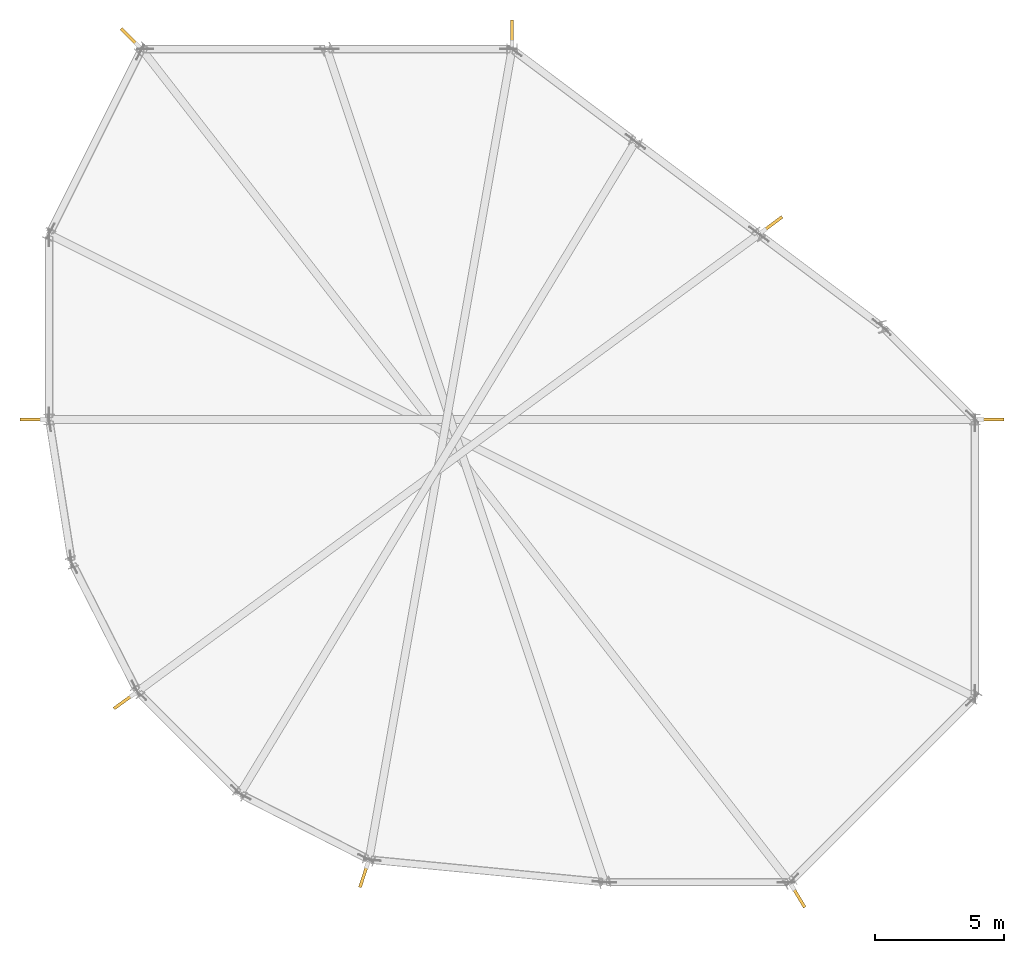
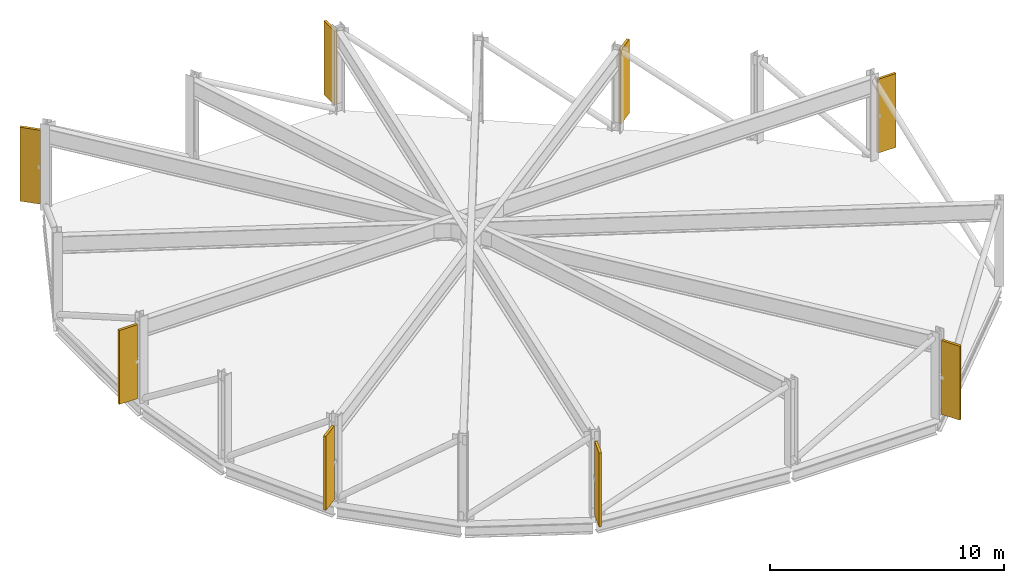
# One storey, part 5 of 5: 8 shading devices.
"""IFC4 building model written with IfcOpenShell, lengths in metres."""

from ifc_helpers import new_model, si_unit, direction, frame, origin, origin_2d, place, context, subcontext, project, spatial, rectangle, extrude, material, type_object, element, save


model = new_model("IFC4")

# Units and contexts
model_context = context("Model", 3, precision=1e-05, world=origin(), true_north=direction((0.0, 1.0)))
body_context = subcontext(model_context, "Body", "Model", "MODEL_VIEW")
ifc_project = project(units=[si_unit("LENGTHUNIT", "METRE"), si_unit("AREAUNIT", "SQUARE_METRE"), si_unit("VOLUMEUNIT", "CUBIC_METRE"), si_unit("PLANEANGLEUNIT", "RADIAN"), si_unit("MASSUNIT", "GRAM", prefix="KILO")], contexts=[model_context])

# Site, building, storey
site_placement = place(None, origin())
site = spatial("IfcSite", under=ifc_project, at=site_placement, CompositionType="ELEMENT")
building_placement = place(site_placement, origin())
building = spatial("IfcBuilding", under=site, at=building_placement, Name="Solnavia Interchange Tower", CompositionType="ELEMENT")
storey_placement = place(building_placement, frame((0.0, 0.0, 326.699951171875)))
storey = spatial("IfcBuildingStorey", under=building, at=storey_placement, Name="C06", CompositionType="ELEMENT", Elevation=326.699951171875)

# Shading devices
ifc_material = material(Name="Anodised Aluminium Fin", Category="aluminium")
shading_device_type = type_object("IfcShadingDeviceType", Name="CrownFin-Alu-900", PredefinedType="USERDEFINED", material=ifc_material)
for number, where, z_axis, x_axis, name in (
    (1, (43.8798828125, 21.60009765625, 0.199951171875), (0.0, 0.0, 1.0), (1.0, 0.0, 0.0), "FIN-C06-F01 Crown ring vertical aerofoil fin"),
    (2, (35.343994140625, 29.2080078125, 0.199951171875), (0.0, 0.0, 1.0), (0.799998928149, 0.600001429133, 0.0), "FIN-C06-F03 Crown ring vertical aerofoil fin"),
    (3, (25.199951171875, 36.679931640625, 0.199951171875), (0.0, 0.0, 1.0), (0.0, 1.0, 0.0), "FIN-C06-F05 Crown ring vertical aerofoil fin"),
    (4, (10.319091796875, 36.480712890625, 0.199951171875), (0.0, 0.0, 1.0), (-0.707106781187, 0.707106781187, 0.0), "FIN-C06-F07 Crown ring vertical aerofoil fin"),
    (5, (6.52001953125, 21.60009765625, 0.199951171875), (0.0, 0.0, 1.0), (-1.0, 0.0, 0.0), "FIN-C06-F09 Crown ring vertical aerofoil fin"),
    (6, (10.087890625, 10.620361328125, 0.199951171875), (0.0, 0.0, 1.0), (-0.809016994375, -0.587785252292, 0.0), "FIN-C06-F11 Crown ring vertical aerofoil fin"),
    (7, (19.427978515625, 3.834228515625, 0.199951171875), (0.0, 0.0, 1.0), (-0.309016994375, -0.951056516295, 0.0), "FIN-C06-F13 Crown ring vertical aerofoil fin"),
    (8, (36.349853515625, 3.016845703125, 0.199951171875), (0.0, 0.0, 1.0), (0.514439533782, -0.857526656194, 0.0), "FIN-C06-F15 Crown ring vertical aerofoil fin"),
):
    element("IfcShadingDevice", number, at=place(storey_placement, frame(where, z_axis=z_axis, x_axis=x_axis)), inside=storey, type_object=shading_device_type, Name=name, ObjectType="FIN", PredefinedType="USERDEFINED", context=body_context, shape_type="SweptSolid", body=[
        extrude(rectangle(XDim=0.89990234375, YDim=0.1201171875, at=origin_2d()), origin(), (0.0, 0.0, 1.0), 3.85009765625),
    ])

save(model, "model.ifc")
